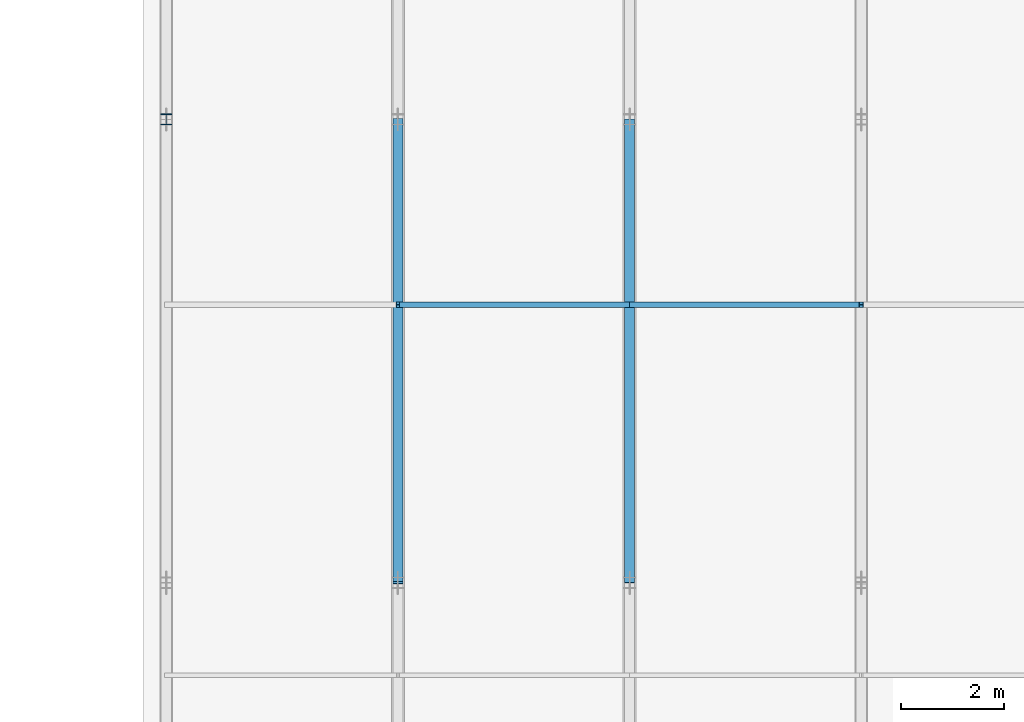
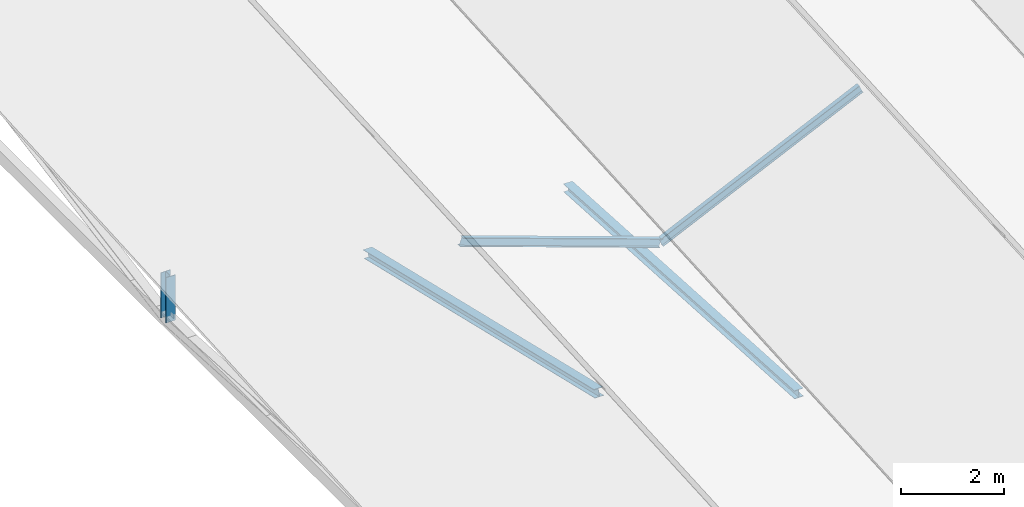
# One storey, part 30 of 142: 5 members.
"""IFC4 building model written with IfcOpenShell, lengths in metres."""

from ifc_helpers import new_model, si_unit, direction, frame, origin, origin_2d, place, context, subcontext, project, spatial, i_section, extrude, material, material_profile, profile_set, type_object, element, save


model = new_model("IFC4")

# Units and contexts
model_context = context("Model", 3, precision=1e-05, world=origin(), true_north=direction((0.0, 1.0)))
body_context = subcontext(model_context, "Body", "Model", "MODEL_VIEW")
ifc_project = project(units=[si_unit("LENGTHUNIT", "METRE"), si_unit("AREAUNIT", "SQUARE_METRE"), si_unit("VOLUMEUNIT", "CUBIC_METRE"), si_unit("PLANEANGLEUNIT", "RADIAN"), si_unit("MASSUNIT", "GRAM", prefix="KILO")], contexts=[model_context])

# Site, building, storey
site_placement = place(None, origin())
site = spatial("IfcSite", under=ifc_project, at=site_placement, CompositionType="ELEMENT")
building_placement = place(site_placement, origin())
building = spatial("IfcBuilding", under=site, at=building_placement, Name="Montelvaro Courts of Justice", CompositionType="ELEMENT")
storey_placement = place(building_placement, frame((0.0, 0.0, 14.39990234375)))
storey = spatial("IfcBuildingStorey", under=building, at=storey_placement, Name="L03", CompositionType="ELEMENT", Elevation=14.39990234375)

# Members
ifc_material = material(Name="Steel S355", Category="steel")
ifc_material_profile_1 = material_profile(ifc_material, i_section(OverallWidth=0.199951171875, OverallDepth=0.18994140625, WebThickness=0.006591796875, FlangeThickness=0.010009765625, at=origin_2d()), Name="HEA 200")
ifc_profile_set_1 = profile_set([ifc_material_profile_1], Name="Steel S355")
member_type_1 = type_object("IfcMemberType", Name="Mem_HEA200_Brace", PredefinedType="BRACE", material=ifc_profile_set_1)
member_1_placement = place(storey_placement, frame((63.0, 51.0, 0.22998046875), z_axis=(0.0, 0.998271944472, -0.058763295342), x_axis=(-1.0, 0.0, 0.0)))
element("IfcMember", 1, at=member_1_placement, inside=storey, type_object=member_type_1, Name="Roof Truss Web MB-02 ROOF-PASSAGE-VTR02-W2", PredefinedType="BRACE", context=body_context, shape_type="SweptSolid", body=[
    extrude(i_section(OverallWidth=0.199951171875, OverallDepth=0.18994140625, WebThickness=0.006591796875, FlangeThickness=0.010009765625, at=origin_2d()), origin(), (0.0, 0.0, 1.0), 9.015625),
])
member_2_placement = place(storey_placement, frame((58.5, 51.0, 1.830078125), z_axis=(0.0, 0.973121400333, -0.230292727227), x_axis=(-1.0, 0.0, 0.0)))
element("IfcMember", 2, at=member_2_placement, inside=storey, type_object=member_type_1, Name="Roof Truss Web MB-02 ROOF-PASSAGE-RTR01-W2", PredefinedType="BRACE", context=body_context, shape_type="SweptSolid", body=[
    extrude(i_section(OverallWidth=0.199951171875, OverallDepth=0.18994140625, WebThickness=0.006591796875, FlangeThickness=0.010009765625, at=origin_2d()), origin(), (0.0, 0.0, 1.0), 9.24853515625),
])
ifc_material_profile_2 = material_profile(ifc_material, i_section(OverallWidth=0.219970703125, OverallDepth=0.2099609375, WebThickness=0.007080078125, FlangeThickness=0.010986328125, at=origin_2d()), Name="HEA 220")
ifc_profile_set_2 = profile_set([ifc_material_profile_2], Name="Steel S355")
member_type_2 = type_object("IfcMemberType", Name="Mem_HEA220_Post", PredefinedType="POST", material=ifc_profile_set_2)
member_3_placement = place(storey_placement, frame((54.0, 60.0, -0.2998046875), z_axis=(0.0, 0.0, 1.0), x_axis=(1.0, 0.0, 0.0)))
element("IfcMember", 3, at=member_3_placement, inside=storey, type_object=member_type_2, Name="Roof Truss Post MP-03 ROOF-PASSAGE-VTR01-V2", PredefinedType="POST", context=body_context, shape_type="SweptSolid", body=[
    extrude(i_section(OverallWidth=0.219970703125, OverallDepth=0.2099609375, WebThickness=0.007080078125, FlangeThickness=0.010986328125, at=origin_2d()), origin(), (0.0, 0.0, 1.0), 1.079833984375),
])
ifc_material_profile_3 = material_profile(ifc_material, i_section(OverallWidth=0.10009765625, OverallDepth=0.199951171875, WebThickness=0.005615234375, FlangeThickness=0.008544921875, at=origin_2d()), Name="IPE 200")
ifc_profile_set_3 = profile_set([ifc_material_profile_3], Name="Steel S355")
member_type_3 = type_object("IfcMemberType", Name="Mem_IPE200_Purlin", PredefinedType="PURLIN", material=ifc_profile_set_3)
member_4_placement = place(storey_placement, frame((58.5, 56.39990234375, 2.16015625), z_axis=(0.942208235916, 0.0, -0.335027819997), x_axis=(0.0, 1.0, 0.0)))
element("IfcMember", 4, at=member_4_placement, inside=storey, type_object=member_type_3, Name="Roof Purlin MR-02 ROOF-PASSAGE-PRL-01-2R", PredefinedType="PURLIN", context=body_context, shape_type="SweptSolid", body=[
    extrude(i_section(OverallWidth=0.10009765625, OverallDepth=0.199951171875, WebThickness=0.005615234375, FlangeThickness=0.008544921875, at=origin_2d()), origin(), (0.0, 0.0, 1.0), 4.776123046875),
])
member_5_placement = place(storey_placement, frame((63.0, 56.39990234375, 0.56005859375), z_axis=(0.906175603891, 0.0, 0.422901613751), x_axis=(0.0, 1.0, 0.0)))
element("IfcMember", 5, at=member_5_placement, inside=storey, type_object=member_type_3, Name="Roof Purlin MR-02 ROOF-PASSAGE-PRL-02-2L", PredefinedType="PURLIN", context=body_context, shape_type="SweptSolid", body=[
    extrude(i_section(OverallWidth=0.10009765625, OverallDepth=0.199951171875, WebThickness=0.005615234375, FlangeThickness=0.008544921875, at=origin_2d()), origin(), (0.0, 0.0, 1.0), 4.9658203125),
])

save(model, "model.ifc")
